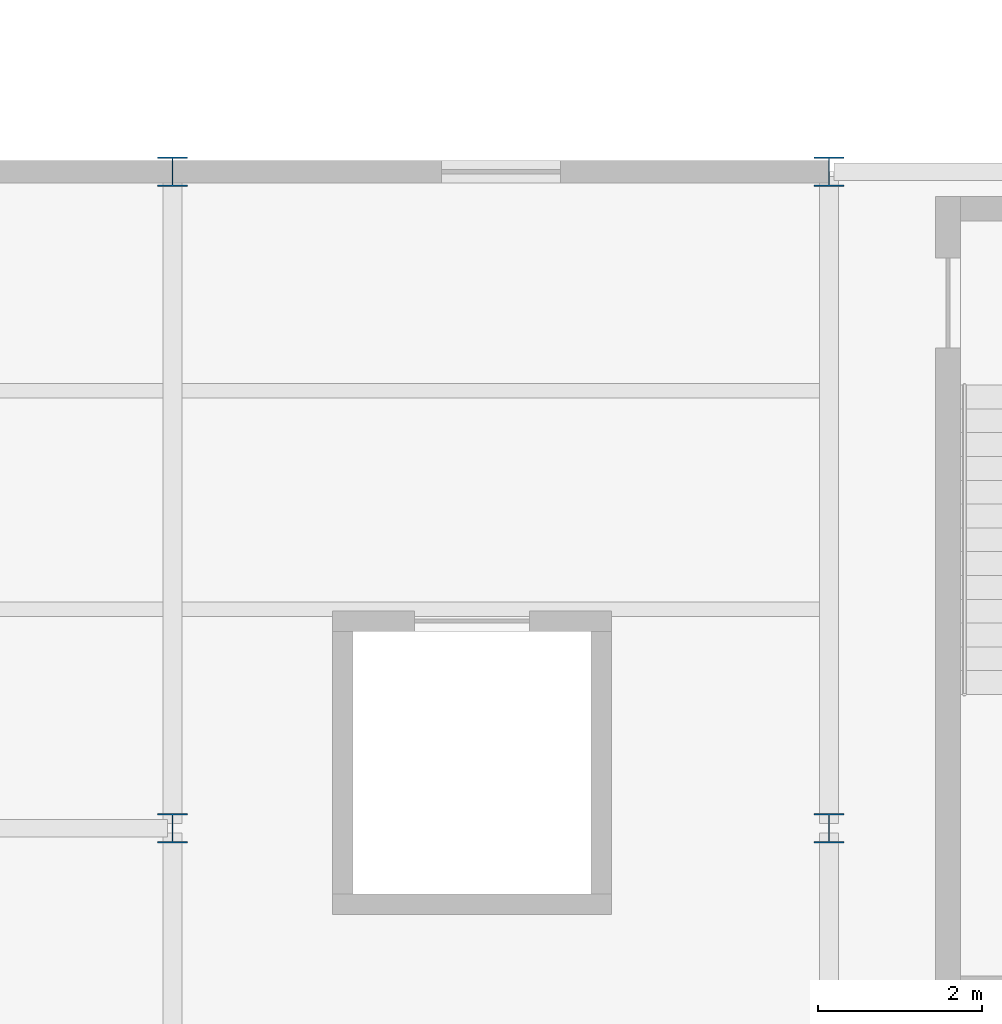
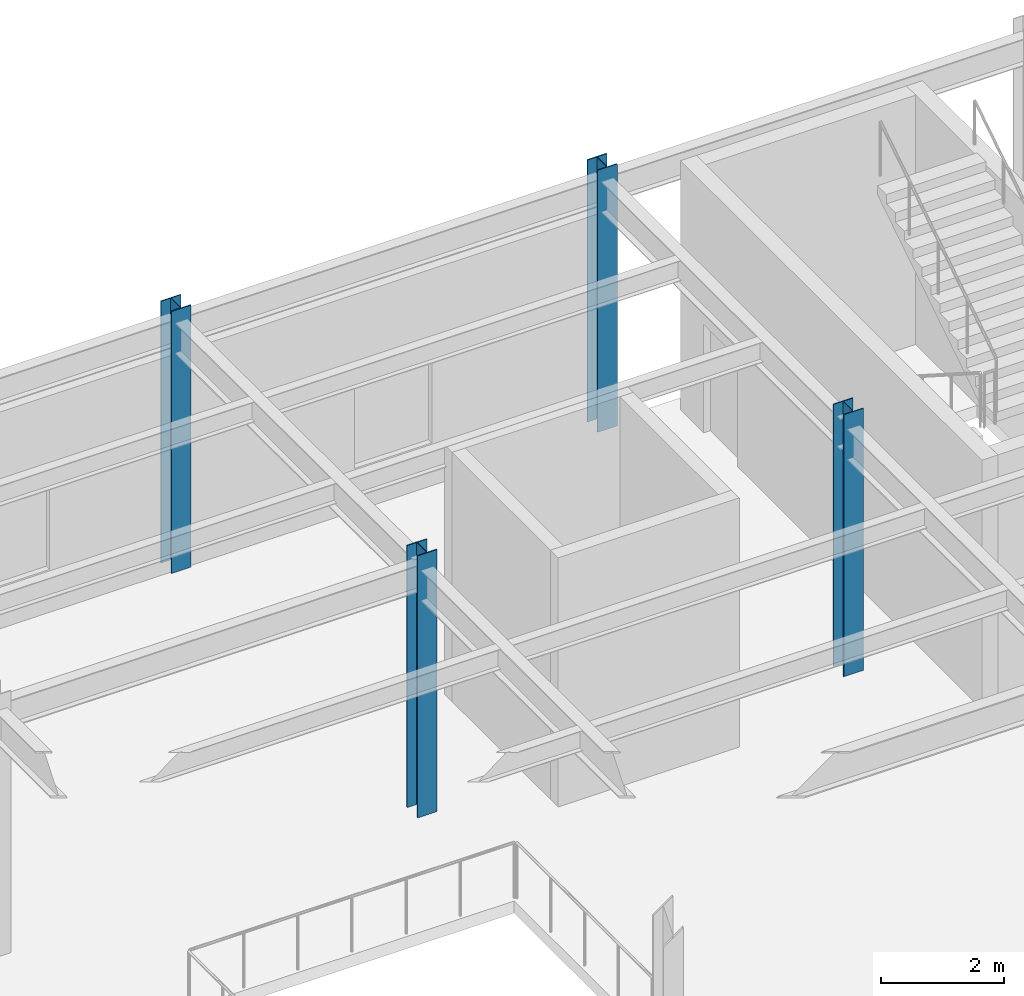
# One storey, part 14 of 77: 4 columns.
"""IFC4 building model written with IfcOpenShell, lengths in metres."""

from ifc_helpers import new_model, si_unit, direction, frame, origin, origin_2d, place, context, subcontext, project, spatial, i_section, extrude, material, material_profile, profile_set, type_object, element, save


model = new_model("IFC4")

# Units and contexts
model_context = context("Model", 3, precision=1e-05, world=origin(), true_north=direction((0.0, 1.0)))
body_context = subcontext(model_context, "Body", "Model", "MODEL_VIEW")
ifc_project = project(units=[si_unit("LENGTHUNIT", "METRE"), si_unit("AREAUNIT", "SQUARE_METRE"), si_unit("VOLUMEUNIT", "CUBIC_METRE"), si_unit("PLANEANGLEUNIT", "RADIAN"), si_unit("MASSUNIT", "GRAM", prefix="KILO")], contexts=[model_context])

# Site, building, storey
site_placement = place(None, origin())
site = spatial("IfcSite", under=ifc_project, at=site_placement, CompositionType="ELEMENT")
building_placement = place(site_placement, origin())
building = spatial("IfcBuilding", under=site, at=building_placement, Name="Drelvath Fold Interchange", CompositionType="ELEMENT")
storey_placement = place(building_placement, frame((0.0, 0.0, 6.0)))
storey = spatial("IfcBuildingStorey", under=building, at=storey_placement, Name="L01", CompositionType="ELEMENT", Elevation=6.0)

# Columns
ifc_material = material(Name="Steel ASTM A992 Grade 50", Category="steel")
ifc_material_profile = material_profile(ifc_material, i_section(OverallWidth=0.368896484375, OverallDepth=0.35595703125, WebThickness=0.01123046875, FlangeThickness=0.01806640625, at=origin_2d()), Name="W14X90")
ifc_profile_set = profile_set([ifc_material_profile], Name="Steel ASTM A992 Grade 50")
column_type = type_object("IfcColumnType", Name="COL-W14X90", PredefinedType="COLUMN", material=ifc_profile_set)
for number, where, z_axis, x_axis, name in (
    (1, (118.0, 99.0, 0.0), (0.0, 0.0, 1.0), (1.0, 0.0, 0.0), "L01 column (118,99)"),
    (2, (118.0, 107.0, 0.0), (0.0, 0.0, 1.0), (1.0, 0.0, 0.0), "L01 column (118,107)"),
    (3, (126.0, 99.0, 0.0), (0.0, 0.0, 1.0), (1.0, 0.0, 0.0), "L01 column (126,99)"),
    (4, (126.0, 107.0, 0.0), (0.0, 0.0, 1.0), (1.0, 0.0, 0.0), "L01 column (126,107)"),
):
    element("IfcColumn", number, at=place(storey_placement, frame(where, z_axis=z_axis, x_axis=x_axis)), inside=storey, type_object=column_type, Name=name, PredefinedType="COLUMN", context=body_context, shape_type="SweptSolid", body=[
        extrude(i_section(OverallWidth=0.368896484375, OverallDepth=0.35595703125, WebThickness=0.01123046875, FlangeThickness=0.01806640625, at=origin_2d()), origin(), (0.0, 0.0, 1.0), 5.199951171875),
    ])

save(model, "model.ifc")
